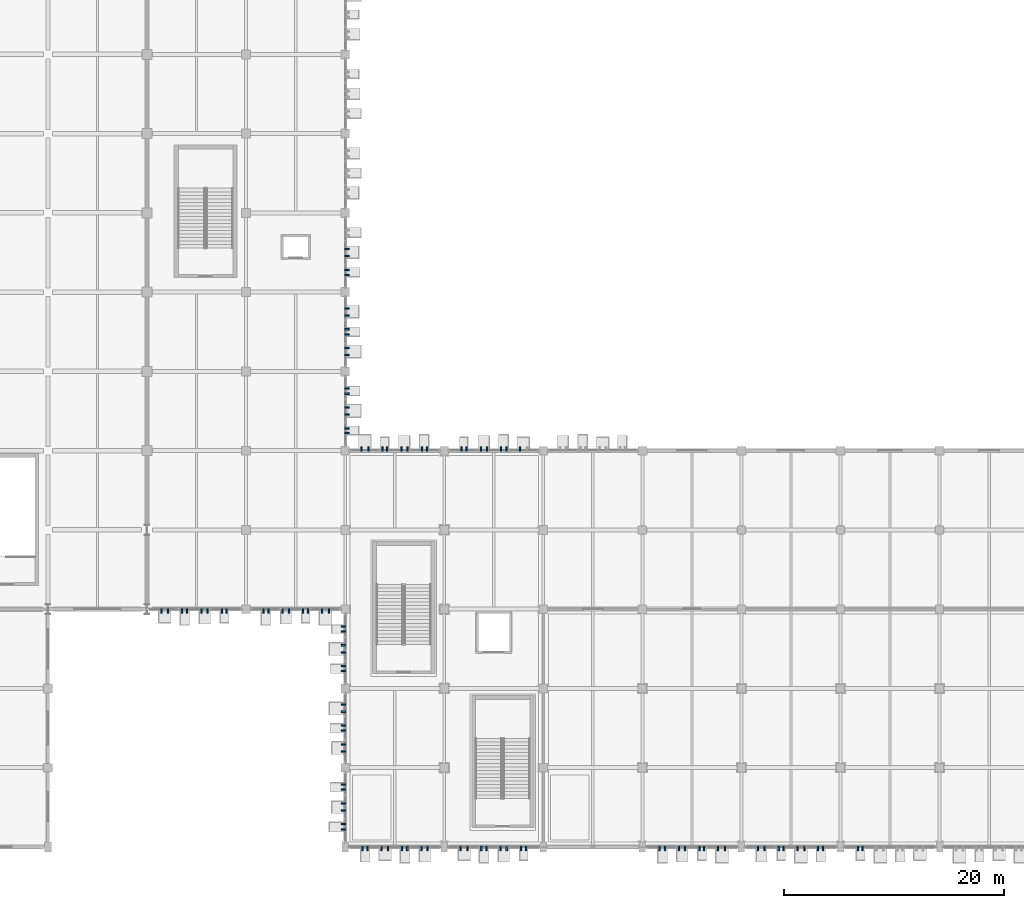
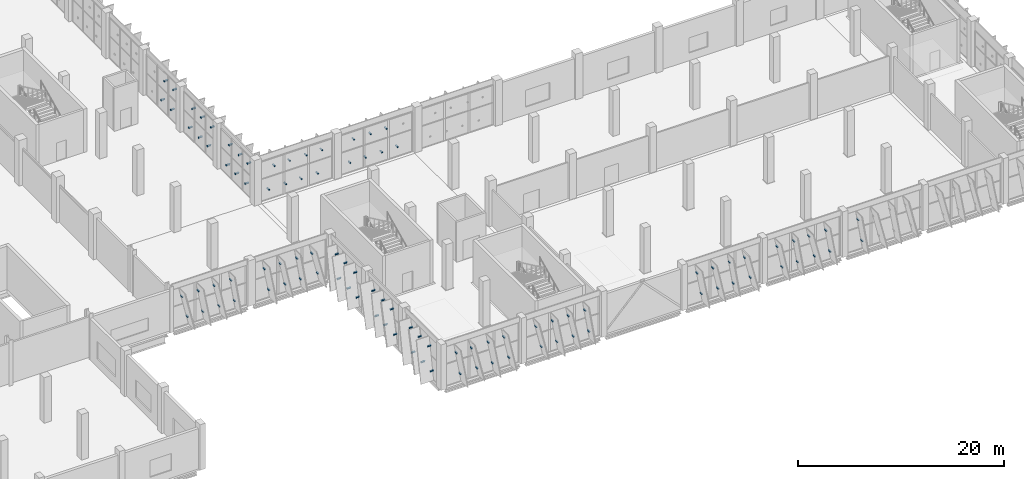
# One storey, part 104 of 137: 99 discrete accessories.
"""IFC4 building model written with IfcOpenShell, lengths in metres."""

from ifc_helpers import new_model, si_unit, direction, frame, origin, origin_2d, place, context, subcontext, project, spatial, rectangle, extrude, material, type_object, element, save


model = new_model("IFC4")

# Units and contexts
model_context = context("Model", 3, precision=1e-05, world=origin(), true_north=direction((0.0, 1.0)))
body_context = subcontext(model_context, "Body", "Model", "MODEL_VIEW")
ifc_project = project(units=[si_unit("LENGTHUNIT", "METRE"), si_unit("AREAUNIT", "SQUARE_METRE"), si_unit("VOLUMEUNIT", "CUBIC_METRE"), si_unit("PLANEANGLEUNIT", "RADIAN"), si_unit("MASSUNIT", "GRAM", prefix="KILO")], contexts=[model_context])

# Site, building, storey
site_placement = place(None, origin())
site = spatial("IfcSite", under=ifc_project, at=site_placement, CompositionType="ELEMENT")
building_placement = place(site_placement, origin())
building = spatial("IfcBuilding", under=site, at=building_placement, Name="Celestram Park Convention Centre", CompositionType="ELEMENT")
storey_placement = place(building_placement, origin())
storey = spatial("IfcBuildingStorey", under=building, at=storey_placement, Name="L00", CompositionType="ELEMENT", Elevation=0.0)

# Discrete accessories
ifc_material = material(Name="Steel ASTM A500 Grade C", Category="steel")
discrete_accessory_type = type_object("IfcDiscreteAccessoryType", Name="ARC-BRK-OUT400", PredefinedType="BRACKET", material=ifc_material)
for number, where, z_axis, x_axis, name in (
    (1, (144.14990234375, 54.31201171875, 1.02978515625), (0.0, 0.0, 1.0), (1.0, 0.0, 0.0), "Solar fin outrigger bracket BK-L00-0095"),
    (2, (144.14990234375, 53.68798828125, 3.650390625), (0.0, 0.0, 1.0), (1.0, 0.0, 0.0), "Solar fin outrigger bracket BK-L00-0096"),
    (3, (144.14990234375, 52.42919921875, 1.01318359375), (0.0, 0.0, 1.0), (1.0, 0.0, 0.0), "Solar fin outrigger bracket BK-L00-0097"),
    (4, (144.14990234375, 51.970703125, 3.6669921875), (0.0, 0.0, 1.0), (1.0, 0.0, 0.0), "Solar fin outrigger bracket BK-L00-0098"),
    (5, (144.14990234375, 48.912109375, 1.02978515625), (0.0, 0.0, 1.0), (1.0, 0.0, 0.0), "Solar fin outrigger bracket BK-L00-0099"),
    (6, (144.14990234375, 48.287841796875, 3.650390625), (0.0, 0.0, 1.0), (1.0, 0.0, 0.0), "Solar fin outrigger bracket BK-L00-0100"),
    (7, (144.14990234375, 47.029296875, 1.01318359375), (0.0, 0.0, 1.0), (1.0, 0.0, 0.0), "Solar fin outrigger bracket BK-L00-0101"),
    (8, (144.14990234375, 46.57080078125, 3.6669921875), (0.0, 0.0, 1.0), (1.0, 0.0, 0.0), "Solar fin outrigger bracket BK-L00-0102"),
    (9, (144.14990234375, 45.3212890625, 1.0322265625), (0.0, 0.0, 1.0), (1.0, 0.0, 0.0), "Solar fin outrigger bracket BK-L00-0103"),
    (10, (144.14990234375, 44.6787109375, 3.64794921875), (0.0, 0.0, 1.0), (1.0, 0.0, 0.0), "Solar fin outrigger bracket BK-L00-0104"),
    (11, (144.14990234375, 41.629150390625, 1.01318359375), (0.0, 0.0, 1.0), (1.0, 0.0, 0.0), "Solar fin outrigger bracket BK-L00-0105"),
    (12, (144.14990234375, 41.1708984375, 3.6669921875), (0.0, 0.0, 1.0), (1.0, 0.0, 0.0), "Solar fin outrigger bracket BK-L00-0106"),
    (13, (144.14990234375, 39.92138671875, 1.0322265625), (0.0, 0.0, 1.0), (1.0, 0.0, 0.0), "Solar fin outrigger bracket BK-L00-0107"),
    (14, (144.14990234375, 39.27880859375, 3.64794921875), (0.0, 0.0, 1.0), (1.0, 0.0, 0.0), "Solar fin outrigger bracket BK-L00-0108"),
    (15, (144.14990234375, 38.015380859375, 1.0107421875), (0.0, 0.0, 1.0), (1.0, 0.0, 0.0), "Solar fin outrigger bracket BK-L00-0109"),
    (16, (144.14990234375, 37.584716796875, 3.66943359375), (0.0, 0.0, 1.0), (1.0, 0.0, 0.0), "Solar fin outrigger bracket BK-L00-0110"),
    (17, (145.483642578125, 36.14990234375, 1.015625), (0.0, 0.0, 1.0), (0.0, 1.0, 0.0), "Solar fin outrigger bracket BK-L00-0111"),
    (18, (146.116455078125, 36.14990234375, 3.591796875), (0.0, 0.0, 1.0), (0.0, 1.0, 0.0), "Solar fin outrigger bracket BK-L00-0112"),
    (19, (147.387939453125, 36.14990234375, 0.994140625), (0.0, 0.0, 1.0), (0.0, 1.0, 0.0), "Solar fin outrigger bracket BK-L00-0113"),
    (20, (147.81201171875, 36.14990234375, 3.61279296875), (0.0, 0.0, 1.0), (0.0, 1.0, 0.0), "Solar fin outrigger bracket BK-L00-0114"),
    (21, (149.1220703125, 36.14990234375, 1.0068359375), (0.0, 0.0, 1.0), (0.0, 1.0, 0.0), "Solar fin outrigger bracket BK-L00-0115"),
    (22, (149.677978515625, 36.14990234375, 3.6005859375), (0.0, 0.0, 1.0), (0.0, 1.0, 0.0), "Solar fin outrigger bracket BK-L00-0116"),
    (23, (150.960693359375, 36.14990234375, 0.9990234375), (0.0, 0.0, 1.0), (0.0, 1.0, 0.0), "Solar fin outrigger bracket BK-L00-0117"),
    (24, (151.439453125, 36.14990234375, 3.60791015625), (0.0, 0.0, 1.0), (0.0, 1.0, 0.0), "Solar fin outrigger bracket BK-L00-0118"),
    (25, (154.587890625, 36.14990234375, 0.994140625), (0.0, 0.0, 1.0), (0.0, 1.0, 0.0), "Solar fin outrigger bracket BK-L00-0119"),
    (26, (155.01220703125, 36.14990234375, 3.61279296875), (0.0, 0.0, 1.0), (0.0, 1.0, 0.0), "Solar fin outrigger bracket BK-L00-0120"),
    (27, (156.322021484375, 36.14990234375, 1.0068359375), (0.0, 0.0, 1.0), (0.0, 1.0, 0.0), "Solar fin outrigger bracket BK-L00-0121"),
    (28, (156.8779296875, 36.14990234375, 3.6005859375), (0.0, 0.0, 1.0), (0.0, 1.0, 0.0), "Solar fin outrigger bracket BK-L00-0122"),
    (29, (158.16064453125, 36.14990234375, 0.9990234375), (0.0, 0.0, 1.0), (0.0, 1.0, 0.0), "Solar fin outrigger bracket BK-L00-0123"),
    (30, (158.639404296875, 36.14990234375, 3.60791015625), (0.0, 0.0, 1.0), (0.0, 1.0, 0.0), "Solar fin outrigger bracket BK-L00-0124"),
    (31, (159.892578125, 36.14990234375, 1.01318359375), (0.0, 0.0, 1.0), (0.0, 1.0, 0.0), "Solar fin outrigger bracket BK-L00-0125"),
    (32, (191.01220703125, -0.14990234375, 0.994140625), (0.0, 0.0, 1.0), (0.0, -1.0, 0.0), "Solar fin outrigger bracket BK-L00-0187"),
    (33, (190.587890625, -0.14990234375, 3.61279296875), (0.0, 0.0, 1.0), (0.0, -1.0, 0.0), "Solar fin outrigger bracket BK-L00-0188"),
    (34, (187.42578125, -0.14990234375, 0.99658203125), (0.0, 0.0, 1.0), (0.0, -1.0, 0.0), "Solar fin outrigger bracket BK-L00-0189"),
    (35, (186.97412109375, -0.14990234375, 3.6103515625), (0.0, 0.0, 1.0), (0.0, -1.0, 0.0), "Solar fin outrigger bracket BK-L00-0190"),
    (36, (185.71630859375, -0.14990234375, 1.015625), (0.0, 0.0, 1.0), (0.0, -1.0, 0.0), "Solar fin outrigger bracket BK-L00-0191"),
    (37, (185.08349609375, -0.14990234375, 3.591796875), (0.0, 0.0, 1.0), (0.0, -1.0, 0.0), "Solar fin outrigger bracket BK-L00-0192"),
    (38, (183.81201171875, -0.14990234375, 0.994140625), (0.0, 0.0, 1.0), (0.0, -1.0, 0.0), "Solar fin outrigger bracket BK-L00-0193"),
    (39, (183.387939453125, -0.14990234375, 3.61279296875), (0.0, 0.0, 1.0), (0.0, -1.0, 0.0), "Solar fin outrigger bracket BK-L00-0194"),
    (40, (182.077880859375, -0.14990234375, 1.0068359375), (0.0, 0.0, 1.0), (0.0, -1.0, 0.0), "Solar fin outrigger bracket BK-L00-0195"),
    (41, (181.52197265625, -0.14990234375, 3.6005859375), (0.0, 0.0, 1.0), (0.0, -1.0, 0.0), "Solar fin outrigger bracket BK-L00-0196"),
    (42, (178.516357421875, -0.14990234375, 1.015625), (0.0, 0.0, 1.0), (0.0, -1.0, 0.0), "Solar fin outrigger bracket BK-L00-0197"),
    (43, (177.883544921875, -0.14990234375, 3.591796875), (0.0, 0.0, 1.0), (0.0, -1.0, 0.0), "Solar fin outrigger bracket BK-L00-0198"),
    (44, (176.612060546875, -0.14990234375, 0.994140625), (0.0, 0.0, 1.0), (0.0, -1.0, 0.0), "Solar fin outrigger bracket BK-L00-0199"),
    (45, (176.18798828125, -0.14990234375, 3.61279296875), (0.0, 0.0, 1.0), (0.0, -1.0, 0.0), "Solar fin outrigger bracket BK-L00-0200"),
    (46, (174.8779296875, -0.14990234375, 1.0068359375), (0.0, 0.0, 1.0), (0.0, -1.0, 0.0), "Solar fin outrigger bracket BK-L00-0201"),
    (47, (174.322021484375, -0.14990234375, 3.6005859375), (0.0, 0.0, 1.0), (0.0, -1.0, 0.0), "Solar fin outrigger bracket BK-L00-0202"),
    (48, (173.039306640625, -0.14990234375, 0.9990234375), (0.0, 0.0, 1.0), (0.0, -1.0, 0.0), "Solar fin outrigger bracket BK-L00-0203"),
    (49, (172.560546875, -0.14990234375, 3.60791015625), (0.0, 0.0, 1.0), (0.0, -1.0, 0.0), "Solar fin outrigger bracket BK-L00-0204"),
    (50, (160.412109375, -0.14990234375, 0.994140625), (0.0, 0.0, 1.0), (0.0, -1.0, 0.0), "Solar fin outrigger bracket BK-L00-0205"),
    (51, (159.98779296875, -0.14990234375, 3.61279296875), (0.0, 0.0, 1.0), (0.0, -1.0, 0.0), "Solar fin outrigger bracket BK-L00-0206"),
    (52, (158.677978515625, -0.14990234375, 1.0068359375), (0.0, 0.0, 1.0), (0.0, -1.0, 0.0), "Solar fin outrigger bracket BK-L00-0207"),
    (53, (158.1220703125, -0.14990234375, 3.6005859375), (0.0, 0.0, 1.0), (0.0, -1.0, 0.0), "Solar fin outrigger bracket BK-L00-0208"),
    (54, (156.83935546875, -0.14990234375, 0.9990234375), (0.0, 0.0, 1.0), (0.0, -1.0, 0.0), "Solar fin outrigger bracket BK-L00-0209"),
    (55, (156.360595703125, -0.14990234375, 3.60791015625), (0.0, 0.0, 1.0), (0.0, -1.0, 0.0), "Solar fin outrigger bracket BK-L00-0210"),
    (56, (155.107421875, -0.14990234375, 1.01318359375), (0.0, 0.0, 1.0), (0.0, -1.0, 0.0), "Solar fin outrigger bracket BK-L00-0211"),
    (57, (154.49267578125, -0.14990234375, 3.59375), (0.0, 0.0, 1.0), (0.0, -1.0, 0.0), "Solar fin outrigger bracket BK-L00-0212"),
    (58, (151.47802734375, -0.14990234375, 1.0068359375), (0.0, 0.0, 1.0), (0.0, -1.0, 0.0), "Solar fin outrigger bracket BK-L00-0213"),
    (59, (150.922119140625, -0.14990234375, 3.6005859375), (0.0, 0.0, 1.0), (0.0, -1.0, 0.0), "Solar fin outrigger bracket BK-L00-0214"),
    (60, (149.639404296875, -0.14990234375, 0.9990234375), (0.0, 0.0, 1.0), (0.0, -1.0, 0.0), "Solar fin outrigger bracket BK-L00-0215"),
    (61, (149.16064453125, -0.14990234375, 3.60791015625), (0.0, 0.0, 1.0), (0.0, -1.0, 0.0), "Solar fin outrigger bracket BK-L00-0216"),
    (62, (147.907470703125, -0.14990234375, 1.01318359375), (0.0, 0.0, 1.0), (0.0, -1.0, 0.0), "Solar fin outrigger bracket BK-L00-0217"),
    (63, (147.29248046875, -0.14990234375, 3.59375), (0.0, 0.0, 1.0), (0.0, -1.0, 0.0), "Solar fin outrigger bracket BK-L00-0218"),
    (64, (146.02587890625, -0.14990234375, 0.99658203125), (0.0, 0.0, 1.0), (0.0, -1.0, 0.0), "Solar fin outrigger bracket BK-L00-0219"),
    (65, (145.57421875, -0.14990234375, 3.6103515625), (0.0, 0.0, 1.0), (0.0, -1.0, 0.0), "Solar fin outrigger bracket BK-L00-0220"),
    (66, (143.85009765625, 1.581787109375, 1.01513671875), (0.0, 0.0, 1.0), (-1.0, 0.0, 0.0), "Solar fin outrigger bracket BK-L00-0221"),
    (67, (143.85009765625, 2.068115234375, 3.66455078125), (0.0, 0.0, 1.0), (-1.0, 0.0, 0.0), "Solar fin outrigger bracket BK-L00-0222"),
    (68, (143.85009765625, 3.31298828125, 1.02978515625), (0.0, 0.0, 1.0), (-1.0, 0.0, 0.0), "Solar fin outrigger bracket BK-L00-0223"),
    (69, (143.85009765625, 3.93701171875, 3.650390625), (0.0, 0.0, 1.0), (-1.0, 0.0, 0.0), "Solar fin outrigger bracket BK-L00-0224"),
    (70, (143.85009765625, 5.19580078125, 1.01318359375), (0.0, 0.0, 1.0), (-1.0, 0.0, 0.0), "Solar fin outrigger bracket BK-L00-0225"),
    (71, (143.85009765625, 5.654296875, 3.6669921875), (0.0, 0.0, 1.0), (-1.0, 0.0, 0.0), "Solar fin outrigger bracket BK-L00-0226"),
    (72, (143.85009765625, 8.68798828125, 1.02978515625), (0.0, 0.0, 1.0), (-1.0, 0.0, 0.0), "Solar fin outrigger bracket BK-L00-0227"),
    (73, (143.85009765625, 9.31201171875, 3.650390625), (0.0, 0.0, 1.0), (-1.0, 0.0, 0.0), "Solar fin outrigger bracket BK-L00-0228"),
    (74, (143.85009765625, 10.57080078125, 1.01318359375), (0.0, 0.0, 1.0), (-1.0, 0.0, 0.0), "Solar fin outrigger bracket BK-L00-0229"),
    (75, (143.85009765625, 11.029296875, 3.6669921875), (0.0, 0.0, 1.0), (-1.0, 0.0, 0.0), "Solar fin outrigger bracket BK-L00-0230"),
    (76, (143.85009765625, 12.27880859375, 1.0322265625), (0.0, 0.0, 1.0), (-1.0, 0.0, 0.0), "Solar fin outrigger bracket BK-L00-0231"),
    (77, (143.85009765625, 12.92138671875, 3.64794921875), (0.0, 0.0, 1.0), (-1.0, 0.0, 0.0), "Solar fin outrigger bracket BK-L00-0232"),
    (78, (143.85009765625, 15.970703125, 1.01318359375), (0.0, 0.0, 1.0), (-1.0, 0.0, 0.0), "Solar fin outrigger bracket BK-L00-0233"),
    (79, (143.85009765625, 16.42919921875, 3.6669921875), (0.0, 0.0, 1.0), (-1.0, 0.0, 0.0), "Solar fin outrigger bracket BK-L00-0234"),
    (80, (143.85009765625, 17.6787109375, 1.0322265625), (0.0, 0.0, 1.0), (-1.0, 0.0, 0.0), "Solar fin outrigger bracket BK-L00-0235"),
    (81, (143.85009765625, 18.3212890625, 3.64794921875), (0.0, 0.0, 1.0), (-1.0, 0.0, 0.0), "Solar fin outrigger bracket BK-L00-0236"),
    (82, (143.85009765625, 19.584716796875, 1.0107421875), (0.0, 0.0, 1.0), (-1.0, 0.0, 0.0), "Solar fin outrigger bracket BK-L00-0237"),
    (83, (143.85009765625, 20.015380859375, 3.66943359375), (0.0, 0.0, 1.0), (-1.0, 0.0, 0.0), "Solar fin outrigger bracket BK-L00-0238"),
    (84, (142.516357421875, 21.449951171875, 1.015625), (0.0, 0.0, 1.0), (0.0, -1.0, 0.0), "Solar fin outrigger bracket BK-L00-0239"),
    (85, (141.883544921875, 21.449951171875, 3.591796875), (0.0, 0.0, 1.0), (0.0, -1.0, 0.0), "Solar fin outrigger bracket BK-L00-0240"),
    (86, (140.612060546875, 21.449951171875, 0.994140625), (0.0, 0.0, 1.0), (0.0, -1.0, 0.0), "Solar fin outrigger bracket BK-L00-0241"),
    (87, (140.18798828125, 21.449951171875, 3.61279296875), (0.0, 0.0, 1.0), (0.0, -1.0, 0.0), "Solar fin outrigger bracket BK-L00-0242"),
    (88, (138.8779296875, 21.449951171875, 1.0068359375), (0.0, 0.0, 1.0), (0.0, -1.0, 0.0), "Solar fin outrigger bracket BK-L00-0243"),
    (89, (138.322021484375, 21.449951171875, 3.6005859375), (0.0, 0.0, 1.0), (0.0, -1.0, 0.0), "Solar fin outrigger bracket BK-L00-0244"),
    (90, (137.039306640625, 21.449951171875, 0.9990234375), (0.0, 0.0, 1.0), (0.0, -1.0, 0.0), "Solar fin outrigger bracket BK-L00-0245"),
    (91, (136.560546875, 21.449951171875, 3.60791015625), (0.0, 0.0, 1.0), (0.0, -1.0, 0.0), "Solar fin outrigger bracket BK-L00-0246"),
    (92, (133.218017578125, 21.449951171875, 0.994140625), (0.0, 0.0, 1.0), (0.0, -1.0, 0.0), "Solar fin outrigger bracket BK-L00-0247"),
    (93, (132.7939453125, 21.449951171875, 3.61279296875), (0.0, 0.0, 1.0), (0.0, -1.0, 0.0), "Solar fin outrigger bracket BK-L00-0248"),
    (94, (131.48388671875, 21.449951171875, 1.0068359375), (0.0, 0.0, 1.0), (0.0, -1.0, 0.0), "Solar fin outrigger bracket BK-L00-0249"),
    (95, (130.927978515625, 21.449951171875, 3.6005859375), (0.0, 0.0, 1.0), (0.0, -1.0, 0.0), "Solar fin outrigger bracket BK-L00-0250"),
    (96, (129.6455078125, 21.449951171875, 0.9990234375), (0.0, 0.0, 1.0), (0.0, -1.0, 0.0), "Solar fin outrigger bracket BK-L00-0251"),
    (97, (129.16650390625, 21.449951171875, 3.60791015625), (0.0, 0.0, 1.0), (0.0, -1.0, 0.0), "Solar fin outrigger bracket BK-L00-0252"),
    (98, (127.913330078125, 21.449951171875, 1.01318359375), (0.0, 0.0, 1.0), (0.0, -1.0, 0.0), "Solar fin outrigger bracket BK-L00-0253"),
    (99, (127.298583984375, 21.449951171875, 3.59375), (0.0, 0.0, 1.0), (0.0, -1.0, 0.0), "Solar fin outrigger bracket BK-L00-0254"),
):
    element("IfcDiscreteAccessory", number, at=place(storey_placement, frame(where, z_axis=z_axis, x_axis=x_axis)), inside=storey, type_object=discrete_accessory_type, Name=name, PredefinedType="BRACKET", context=body_context, shape_type="SweptSolid", body=[
        extrude(rectangle(XDim=0.39990234375, YDim=0.139892578125, at=origin_2d()), origin(), (0.0, 0.0, 1.0), 0.139892578125),
    ])

save(model, "model.ifc")
